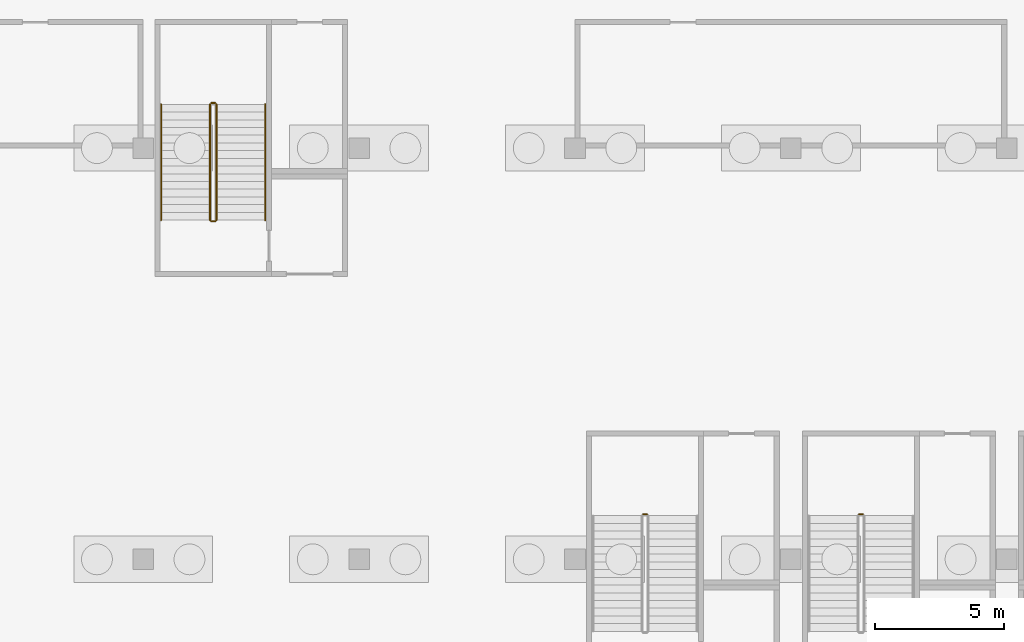
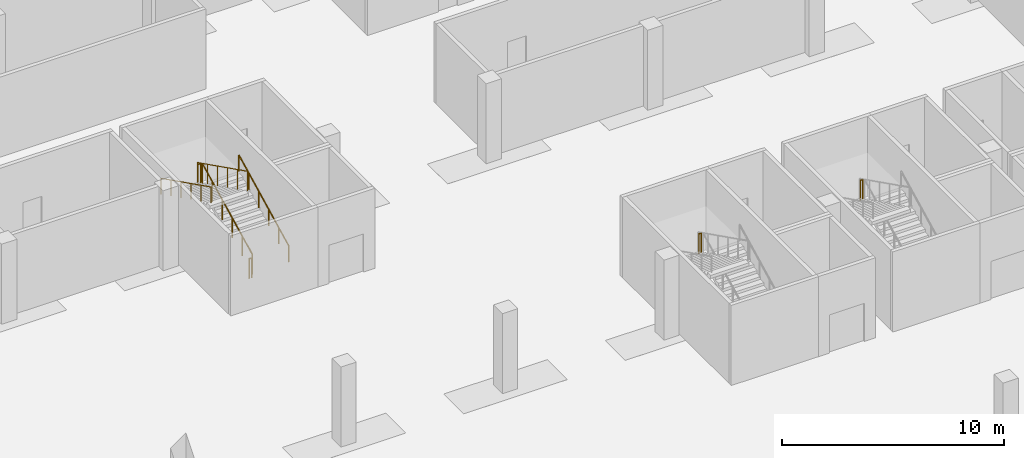
# One storey, part 43 of 46: 8 railings.
"""IFC4 building model written with IfcOpenShell, lengths in metres."""

import ifcopenshell
import ifcopenshell.guid

model = None  # the IFC model being written
_history = None  # IfcOwnerHistory: only IFC2X3 demands one
_inside = {}  # id of a spatial element -> (the spatial element, [elements in it])
_under = {}  # id of a project, library or spatial element -> (it, [spatial elements below it])
_declared = {}  # id of a project -> (the project, [libraries it declares])
_typed = {}  # id of a type object -> (the type object, [elements of that type])
_made_of = {}  # id of a material, layer set ... -> (it, [elements and type objects made of it])


def new_model(schema):
    """Start an empty IFC model of exactly this schema.

    Asked for "IFC4X3", IfcOpenShell would pick the latest addendum, in which some entities
    have other attributes; the version numbers below select the first issue.
    IFC2X3 requires an IfcOwnerHistory on every rooted entity: one is made here for all.
    """
    global model, _history
    if schema == "IFC4X3":
        model = ifcopenshell.file(schema_version=(4, 3, 0, 0))
    else:
        model = ifcopenshell.file(schema=schema)
    _inside.clear()
    _under.clear()
    _declared.clear()
    _typed.clear()
    _made_of.clear()
    _history = None
    if model.schema == "IFC2X3":
        org = make("IfcOrganization", Name="unknown")
        user = make(
            "IfcPersonAndOrganization",
            ThePerson=make("IfcPerson", FamilyName="unknown"),
            TheOrganization=org,
        )
        app = make(
            "IfcApplication",
            ApplicationDeveloper=org,
            Version="unknown",
            ApplicationFullName="unknown",
            ApplicationIdentifier="unknown",
        )
        _history = make(
            "IfcOwnerHistory",
            OwningUser=user,
            OwningApplication=app,
            ChangeAction="ADDED",
            CreationDate=0,
        )
    return model


def make(cls, **values):
    """One entity of the class cls with the attributes given. An attribute that is None is left unset."""
    return model.create_entity(
        cls, **{name: value for name, value in values.items() if value is not None}
    )


def rooted(cls, **values):
    """An entity with a GlobalId (a new one), such as an element, a storey or a relation."""
    return make(cls, GlobalId=ifcopenshell.guid.new(), OwnerHistory=_history, **values)


def si_unit(unit_type, name, prefix=None):
    """IfcSIUnit, for example si_unit("LENGTHUNIT", "METRE", prefix="MILLI")."""
    return make("IfcSIUnit", UnitType=unit_type, Prefix=prefix, Name=name)


def assignment(units):
    """IfcUnitAssignment: the units of a project."""
    return None if units is None else make("IfcUnitAssignment", Units=units)


def point(xyz):
    """IfcCartesianPoint."""
    return None if xyz is None else make("IfcCartesianPoint", Coordinates=xyz)


def direction(xyz):
    """IfcDirection."""
    return None if xyz is None else make("IfcDirection", DirectionRatios=xyz)


def frame(location, z_axis=None, x_axis=None):
    """IfcAxis2Placement3D, a coordinate frame: its origin and axes. An axis left out is left unset."""
    return make(
        "IfcAxis2Placement3D",
        Location=point(location),
        Axis=direction(z_axis),
        RefDirection=direction(x_axis),
    )


def frame_2d(location, x_axis=None):
    """IfcAxis2Placement2D, a coordinate frame in the plane: its origin and x axis."""
    return make(
        "IfcAxis2Placement2D", Location=point(location), RefDirection=direction(x_axis)
    )


def origin():
    """The frame at (0, 0, 0) with its axes left unset."""
    return frame((0.0, 0.0, 0.0))


def origin_2d():
    """The frame at (0, 0) in the plane with its x axis left unset."""
    return frame_2d((0.0, 0.0))


def place(relative_to, where):
    """IfcLocalPlacement: puts the frame where relative to a parent placement (None: the world)."""
    return make(
        "IfcLocalPlacement", PlacementRelTo=relative_to, RelativePlacement=where
    )


def context(
    kind, dimensions, precision=None, world=None, true_north=None, identifier=None
):
    """IfcGeometricRepresentationContext, for example the 3D "Model" context."""
    return make(
        "IfcGeometricRepresentationContext",
        ContextIdentifier=identifier,
        ContextType=kind,
        CoordinateSpaceDimension=dimensions,
        Precision=precision,
        WorldCoordinateSystem=world,
        TrueNorth=true_north,
    )


def subcontext(parent, identifier, kind, view, scale=None):
    """IfcGeometricRepresentationSubContext, for example "Body" below "Model"."""
    return make(
        "IfcGeometricRepresentationSubContext",
        ContextIdentifier=identifier,
        ContextType=kind,
        ParentContext=parent,
        TargetScale=scale,
        TargetView=view,
    )


def project(units=None, contexts=None):
    """IfcProject with its units and contexts."""
    return rooted(
        "IfcProject",
        Name="project",
        RepresentationContexts=contexts,
        UnitsInContext=assignment(units),
    )


def spatial(cls, under=None, at=None, **own):
    """A site, building, storey or space (cls), placed at a placement, below another one or the project."""
    s = rooted(cls, ObjectPlacement=at, **own)
    if under is not None:
        _under.setdefault(under.id(), (under, []))[1].append(s)
    return s


def profile(cls, at=None, kind="AREA", **sizes):
    """A parametric profile (cls). Its sizes go by their IFC names, for example OverallWidth=200.0."""
    return make(cls, ProfileType=kind, Position=at, **sizes)


def circle(**sizes):
    """IfcCircleProfileDef."""
    return profile("IfcCircleProfileDef", **sizes)


def extrude(swept, where, along, depth):
    """IfcExtrudedAreaSolid: the profile swept, set in the frame where, extruded along a direction by depth."""
    return make(
        "IfcExtrudedAreaSolid",
        SweptArea=swept,
        Position=where,
        ExtrudedDirection=direction(along),
        Depth=depth,
    )


def shape(context_of_items, identifier, shape_type, items):
    """IfcShapeRepresentation: the items that make up one representation, for example the "Body"."""
    return make(
        "IfcShapeRepresentation",
        ContextOfItems=context_of_items,
        RepresentationIdentifier=identifier,
        RepresentationType=shape_type,
        Items=items,
    )


def material(Name=None, Category=None):
    """IfcMaterial."""
    return make("IfcMaterial", Name=Name, Category=Category)


def made_of(thing, what):
    """Note that an element or type object is made of a material, layer set ...; save() writes the relation."""
    if what is not None:
        _made_of.setdefault(what.id(), (what, []))[1].append(thing)
    return thing


def type_object(cls, material=None, **own):
    """A type object (cls), such as IfcWallType, which elements share."""
    return made_of(rooted(cls, **own), material)


def element(
    cls,
    number,
    at=None,
    inside=None,
    cuts=None,
    type_object=None,
    material=None,
    context=None,
    identifier="Body",
    shape_type=None,
    held_by="IfcProductDefinitionShape",
    body=None,
    shapes=None,
    **own,
):
    """One element of the class cls, such as IfcWall. Its Tag is "e" and its number.

    at: its placement. inside: the storey or other place that contains it. cuts: it is an
    opening in that element (IfcRelVoidsElement). A single representation is given by context,
    identifier, shape_type and body (its items); several are given by shapes. held_by: the class
    of the entity that holds the representations. save() writes the other relations.
    """
    e = rooted(cls, Tag="e%d" % number, ObjectPlacement=at, **own)
    if body is not None:
        shapes = [shape(context, identifier, shape_type, body)]
    if shapes is not None:
        e.Representation = make(held_by, Representations=shapes)
    if inside is not None:
        _inside.setdefault(inside.id(), (inside, []))[1].append(e)
    if cuts is not None:
        rooted(
            "IfcRelVoidsElement", RelatingBuildingElement=cuts, RelatedOpeningElement=e
        )
    if type_object is not None:
        _typed.setdefault(type_object.id(), (type_object, []))[1].append(e)
    return made_of(e, material)


def aggregate(whole, parts):
    """IfcRelAggregates: a whole, such as a stair, and the parts it consists of."""
    return rooted("IfcRelAggregates", RelatingObject=whole, RelatedObjects=parts)


def save(model, path):
    """Write the relations noted so far, then the file.

    IfcRelAggregates (storeys below a building ...), IfcRelContainedInSpatialStructure (elements
    in a storey), IfcRelDefinesByType, IfcRelAssociatesMaterial and IfcRelDeclares: one each for
    every whole, place, type object, material and project.
    """
    for whole, parts in _under.values():
        aggregate(whole, parts)
    for where, things in _inside.values():
        rooted(
            "IfcRelContainedInSpatialStructure",
            RelatedElements=things,
            RelatingStructure=where,
        )
    for kind, things in _typed.values():
        rooted("IfcRelDefinesByType", RelatedObjects=things, RelatingType=kind)
    for what, things in _made_of.values():
        rooted("IfcRelAssociatesMaterial", RelatedObjects=things, RelatingMaterial=what)
    for by, libraries in _declared.values():
        rooted("IfcRelDeclares", RelatingContext=by, RelatedDefinitions=libraries)
    model.write(path)


model = new_model("IFC4")

# Units and contexts
model_context = context("Model", 3, precision=1e-05, world=origin(), true_north=direction((0.0, 1.0)))
body_context = subcontext(model_context, "Body", "Model", "MODEL_VIEW")
ifc_project = project(units=[si_unit("LENGTHUNIT", "METRE"), si_unit("AREAUNIT", "SQUARE_METRE"), si_unit("VOLUMEUNIT", "CUBIC_METRE"), si_unit("PLANEANGLEUNIT", "RADIAN"), si_unit("MASSUNIT", "GRAM", prefix="KILO")], contexts=[model_context])

# Site, building, storey
site_placement = place(None, origin())
site = spatial("IfcSite", under=ifc_project, at=site_placement, CompositionType="ELEMENT")
building_placement = place(site_placement, origin())
building = spatial("IfcBuilding", under=site, at=building_placement, Name="Tamra Quay Hotel Tower", CompositionType="ELEMENT")
storey_placement = place(building_placement, frame((0.0, 0.0, -12.0)))
storey = spatial("IfcBuildingStorey", under=building, at=storey_placement, Name="B3", CompositionType="ELEMENT", Elevation=-12.0)

# Railings
ifc_material_1 = material(Name="Basement stair guard 1100")
railing_type_1 = type_object("IfcRailingType", Name="Basement stair guard 1100", PredefinedType="GUARDRAIL", material=ifc_material_1)
railing_1_placement = place(storey_placement, frame((-77.85009765625, 61.199951171875, 0.14990234375)))
element("IfcRailing", 1, at=railing_1_placement, inside=storey, type_object=railing_type_1, Name="BSG", PredefinedType="GUARDRAIL", context=body_context, shape_type="SweptSolid", body=[
    extrude(circle(Radius=0.02392578125, at=origin_2d()), frame((0.0, 0.0, 1.076171875), z_axis=(0.0, 0.894427191, 0.4472135955), x_axis=(-1.0, 0.0, 0.0)), (0.0, 0.0, 1.0), 5.03125),
    extrude(circle(Radius=0.02099609375, at=origin_2d()), origin(), (0.0, 0.0, 1.0), 1.052001953125),
    extrude(circle(Radius=0.02099609375, at=origin_2d()), frame((0.0, 0.89990234375, 0.449951171875)), (0.0, 0.0, 1.0), 1.052001953125),
    extrude(circle(Radius=0.02099609375, at=origin_2d()), frame((0.0, 1.800048828125, 0.89990234375)), (0.0, 0.0, 1.0), 1.052001953125),
    extrude(circle(Radius=0.02099609375, at=origin_2d()), frame((0.0, 2.699951171875, 1.35009765625)), (0.0, 0.0, 1.0), 1.052001953125),
    extrude(circle(Radius=0.02099609375, at=origin_2d()), frame((0.0, 3.60009765625, 1.800048828125)), (0.0, 0.0, 1.0), 1.052001953125),
    extrude(circle(Radius=0.02099609375, at=origin_2d()), frame((0.0, 4.5, 2.25)), (0.0, 0.0, 1.0), 1.052001953125),
])
railing_2_placement = place(storey_placement, frame((-77.89990234375, 65.75, 2.39990234375)))
element("IfcRailing", 2, at=railing_2_placement, inside=storey, type_object=railing_type_1, Name="BSG", PredefinedType="GUARDRAIL", context=body_context, shape_type="SweptSolid", body=[
    extrude(circle(Radius=0.02392578125, at=origin_2d()), frame((0.0, 0.0, 1.076171875), z_axis=(-1.0, 0.0, 0.0), x_axis=(0.0, -1.0, 0.0)), (0.0, 0.0, 1.0), 0.150146484375),
    extrude(circle(Radius=0.02099609375, at=origin_2d()), origin(), (0.0, 0.0, 1.0), 1.052001953125),
    extrude(circle(Radius=0.02099609375, at=origin_2d()), frame((-0.150146484375, 0.0, 0.0)), (0.0, 0.0, 1.0), 1.052001953125),
])
railing_3_placement = place(storey_placement, frame((-78.10009765625, 65.699951171875, 2.550048828125)))
element("IfcRailing", 3, at=railing_3_placement, inside=storey, type_object=railing_type_1, Name="BSG", PredefinedType="GUARDRAIL", context=body_context, shape_type="SweptSolid", body=[
    extrude(circle(Radius=0.02392578125, at=origin_2d()), frame((0.0, 0.0, 1.076171875), z_axis=(0.0, -0.894427191, 0.4472135955), x_axis=(1.0, 0.0, 0.0)), (0.0, 0.0, 1.0), 5.03125),
    extrude(circle(Radius=0.02099609375, at=origin_2d()), origin(), (0.0, 0.0, 1.0), 1.052001953125),
    extrude(circle(Radius=0.02099609375, at=origin_2d()), frame((0.0, -0.89990234375, 0.449951171875)), (0.0, 0.0, 1.0), 1.052001953125),
    extrude(circle(Radius=0.02099609375, at=origin_2d()), frame((0.0, -1.800048828125, 0.89990234375)), (0.0, 0.0, 1.0), 1.052001953125),
    extrude(circle(Radius=0.02099609375, at=origin_2d()), frame((0.0, -2.699951171875, 1.35009765625)), (0.0, 0.0, 1.0), 1.052001953125),
    extrude(circle(Radius=0.02099609375, at=origin_2d()), frame((0.0, -3.60009765625, 1.800048828125)), (0.0, 0.0, 1.0), 1.052001953125),
    extrude(circle(Radius=0.02099609375, at=origin_2d()), frame((0.0, -4.5, 2.25)), (0.0, 0.0, 1.0), 1.052001953125),
])
railing_4_placement = place(storey_placement, frame((-77.89990234375, 61.14990234375, 0.0)))
element("IfcRailing", 4, at=railing_4_placement, inside=storey, type_object=railing_type_1, Name="BSG", PredefinedType="GUARDRAIL", context=body_context, shape_type="SweptSolid", body=[
    extrude(circle(Radius=0.02392578125, at=origin_2d()), frame((0.0, 0.0, 1.076171875), z_axis=(-1.0, 0.0, 0.0), x_axis=(0.0, -1.0, 0.0)), (0.0, 0.0, 1.0), 0.150146484375),
    extrude(circle(Radius=0.02099609375, at=origin_2d()), origin(), (0.0, 0.0, 1.0), 1.052001953125),
    extrude(circle(Radius=0.02099609375, at=origin_2d()), frame((-0.150146484375, 0.0, 0.0)), (0.0, 0.0, 1.0), 1.052001953125),
])
railing_5_placement = place(storey_placement, frame((-61.10009765625, 49.75, 2.39990234375)))
element("IfcRailing", 5, at=railing_5_placement, inside=storey, type_object=railing_type_1, Name="BSG", PredefinedType="GUARDRAIL", context=body_context, shape_type="SweptSolid", body=[
    extrude(circle(Radius=0.02392578125, at=origin_2d()), frame((0.0, 0.0, 1.076171875), z_axis=(-1.0, 0.0, 0.0), x_axis=(0.0, -1.0, 0.0)), (0.0, 0.0, 1.0), 0.14990234375),
    extrude(circle(Radius=0.02099609375, at=origin_2d()), origin(), (0.0, 0.0, 1.0), 1.052001953125),
    extrude(circle(Radius=0.02099609375, at=origin_2d()), frame((-0.14990234375, 0.0, 0.0)), (0.0, 0.0, 1.0), 1.052001953125),
])
railing_6_placement = place(storey_placement, frame((-52.699951171875, 49.75, 2.39990234375)))
element("IfcRailing", 6, at=railing_6_placement, inside=storey, type_object=railing_type_1, Name="BSG", PredefinedType="GUARDRAIL", context=body_context, shape_type="SweptSolid", body=[
    extrude(circle(Radius=0.02392578125, at=origin_2d()), frame((0.0, 0.0, 1.076171875), z_axis=(-1.0, 0.0, 0.0), x_axis=(0.0, -1.0, 0.0)), (0.0, 0.0, 1.0), 0.150146484375),
    extrude(circle(Radius=0.02099609375, at=origin_2d()), origin(), (0.0, 0.0, 1.0), 1.052001953125),
    extrude(circle(Radius=0.02099609375, at=origin_2d()), frame((-0.150146484375, 0.0, 0.0)), (0.0, 0.0, 1.0), 1.052001953125),
])
ifc_material_2 = material(Name="Basement stair handrail 900")
railing_type_2 = type_object("IfcRailingType", Name="Basement stair handrail 900", PredefinedType="HANDRAIL", material=ifc_material_2)
railing_7_placement = place(storey_placement, frame((-75.949951171875, 61.199951171875, 0.14990234375)))
element("IfcRailing", 7, at=railing_7_placement, inside=storey, type_object=railing_type_2, Name="BSH", PredefinedType="HANDRAIL", context=body_context, shape_type="SweptSolid", body=[
    extrude(circle(Radius=0.02392578125, at=origin_2d()), frame((0.0, 0.0, 0.8759765625), z_axis=(0.0, 0.894427191, 0.4472135955), x_axis=(-1.0, 0.0, 0.0)), (0.0, 0.0, 1.0), 5.03125),
    extrude(circle(Radius=0.02099609375, at=origin_2d()), origin(), (0.0, 0.0, 1.0), 0.851806640625),
    extrude(circle(Radius=0.02099609375, at=origin_2d()), frame((0.0, 0.89990234375, 0.449951171875)), (0.0, 0.0, 1.0), 0.851806640625),
    extrude(circle(Radius=0.02099609375, at=origin_2d()), frame((0.0, 1.800048828125, 0.89990234375)), (0.0, 0.0, 1.0), 0.851806640625),
    extrude(circle(Radius=0.02099609375, at=origin_2d()), frame((0.0, 2.699951171875, 1.35009765625)), (0.0, 0.0, 1.0), 0.851806640625),
    extrude(circle(Radius=0.02099609375, at=origin_2d()), frame((0.0, 3.60009765625, 1.800048828125)), (0.0, 0.0, 1.0), 0.851806640625),
    extrude(circle(Radius=0.02099609375, at=origin_2d()), frame((0.0, 4.5, 2.25)), (0.0, 0.0, 1.0), 0.851806640625),
])
railing_8_placement = place(storey_placement, frame((-80.0, 65.699951171875, 2.550048828125)))
element("IfcRailing", 8, at=railing_8_placement, inside=storey, type_object=railing_type_2, Name="BSH", PredefinedType="HANDRAIL", context=body_context, shape_type="SweptSolid", body=[
    extrude(circle(Radius=0.02392578125, at=origin_2d()), frame((0.0, 0.0, 0.8759765625), z_axis=(0.0, -0.894427191, 0.4472135955), x_axis=(1.0, 0.0, 0.0)), (0.0, 0.0, 1.0), 5.03125),
    extrude(circle(Radius=0.02099609375, at=origin_2d()), origin(), (0.0, 0.0, 1.0), 0.851806640625),
    extrude(circle(Radius=0.02099609375, at=origin_2d()), frame((0.0, -0.89990234375, 0.449951171875)), (0.0, 0.0, 1.0), 0.851806640625),
    extrude(circle(Radius=0.02099609375, at=origin_2d()), frame((0.0, -1.800048828125, 0.89990234375)), (0.0, 0.0, 1.0), 0.851806640625),
    extrude(circle(Radius=0.02099609375, at=origin_2d()), frame((0.0, -2.699951171875, 1.35009765625)), (0.0, 0.0, 1.0), 0.851806640625),
    extrude(circle(Radius=0.02099609375, at=origin_2d()), frame((0.0, -3.60009765625, 1.800048828125)), (0.0, 0.0, 1.0), 0.851806640625),
    extrude(circle(Radius=0.02099609375, at=origin_2d()), frame((0.0, -4.5, 2.25)), (0.0, 0.0, 1.0), 0.851806640625),
])

save(model, "model.ifc")
